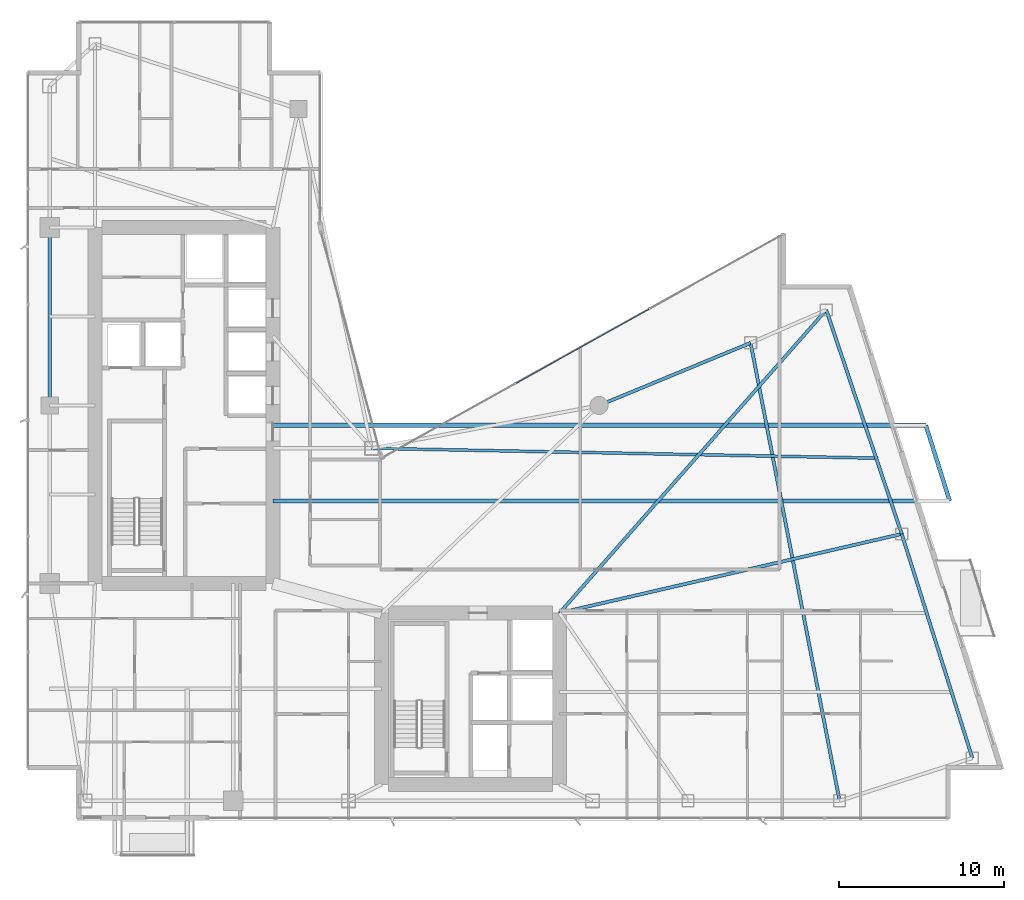
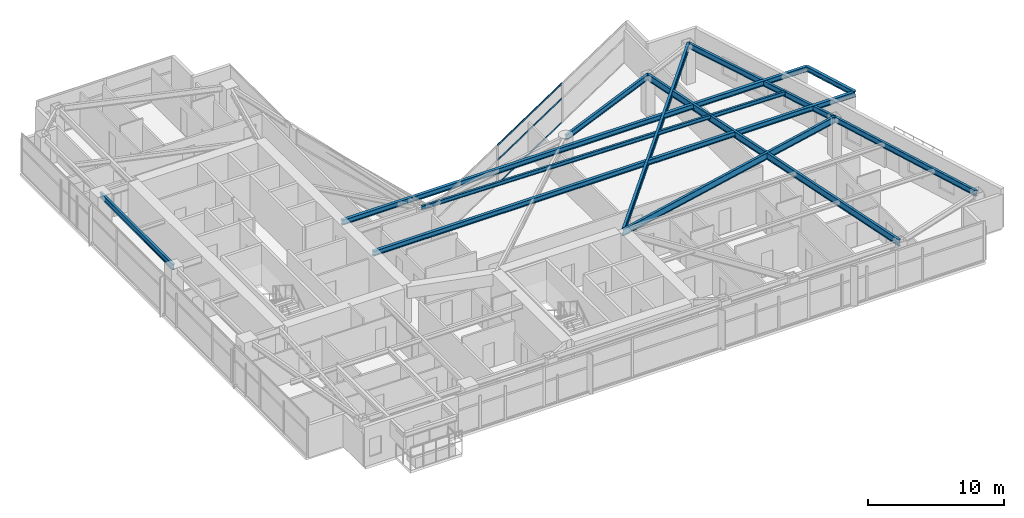
# One storey, part 15 of 28: 11 beams, 3 members, 1 element without a shape of its own.
"""IFC4 building model written with IfcOpenShell, lengths in metres."""

import ifcopenshell
import ifcopenshell.guid

model = None  # the IFC model being written
_history = None  # IfcOwnerHistory: only IFC2X3 demands one
_inside = {}  # id of a spatial element -> (the spatial element, [elements in it])
_under = {}  # id of a project, library or spatial element -> (it, [spatial elements below it])
_declared = {}  # id of a project -> (the project, [libraries it declares])
_typed = {}  # id of a type object -> (the type object, [elements of that type])
_made_of = {}  # id of a material, layer set ... -> (it, [elements and type objects made of it])


def new_model(schema):
    """Start an empty IFC model of exactly this schema.

    Asked for "IFC4X3", IfcOpenShell would pick the latest addendum, in which some entities
    have other attributes; the version numbers below select the first issue.
    IFC2X3 requires an IfcOwnerHistory on every rooted entity: one is made here for all.
    """
    global model, _history
    if schema == "IFC4X3":
        model = ifcopenshell.file(schema_version=(4, 3, 0, 0))
    else:
        model = ifcopenshell.file(schema=schema)
    _inside.clear()
    _under.clear()
    _declared.clear()
    _typed.clear()
    _made_of.clear()
    _history = None
    if model.schema == "IFC2X3":
        org = make("IfcOrganization", Name="unknown")
        user = make(
            "IfcPersonAndOrganization",
            ThePerson=make("IfcPerson", FamilyName="unknown"),
            TheOrganization=org,
        )
        app = make(
            "IfcApplication",
            ApplicationDeveloper=org,
            Version="unknown",
            ApplicationFullName="unknown",
            ApplicationIdentifier="unknown",
        )
        _history = make(
            "IfcOwnerHistory",
            OwningUser=user,
            OwningApplication=app,
            ChangeAction="ADDED",
            CreationDate=0,
        )
    return model


def make(cls, **values):
    """One entity of the class cls with the attributes given. An attribute that is None is left unset."""
    return model.create_entity(
        cls, **{name: value for name, value in values.items() if value is not None}
    )


def rooted(cls, **values):
    """An entity with a GlobalId (a new one), such as an element, a storey or a relation."""
    return make(cls, GlobalId=ifcopenshell.guid.new(), OwnerHistory=_history, **values)


def si_unit(unit_type, name, prefix=None):
    """IfcSIUnit, for example si_unit("LENGTHUNIT", "METRE", prefix="MILLI")."""
    return make("IfcSIUnit", UnitType=unit_type, Prefix=prefix, Name=name)


def assignment(units):
    """IfcUnitAssignment: the units of a project."""
    return None if units is None else make("IfcUnitAssignment", Units=units)


def point(xyz):
    """IfcCartesianPoint."""
    return None if xyz is None else make("IfcCartesianPoint", Coordinates=xyz)


def direction(xyz):
    """IfcDirection."""
    return None if xyz is None else make("IfcDirection", DirectionRatios=xyz)


def frame(location, z_axis=None, x_axis=None):
    """IfcAxis2Placement3D, a coordinate frame: its origin and axes. An axis left out is left unset."""
    return make(
        "IfcAxis2Placement3D",
        Location=point(location),
        Axis=direction(z_axis),
        RefDirection=direction(x_axis),
    )


def frame_2d(location, x_axis=None):
    """IfcAxis2Placement2D, a coordinate frame in the plane: its origin and x axis."""
    return make(
        "IfcAxis2Placement2D", Location=point(location), RefDirection=direction(x_axis)
    )


def origin():
    """The frame at (0, 0, 0) with its axes left unset."""
    return frame((0.0, 0.0, 0.0))


def origin_2d():
    """The frame at (0, 0) in the plane with its x axis left unset."""
    return frame_2d((0.0, 0.0))


def place(relative_to, where):
    """IfcLocalPlacement: puts the frame where relative to a parent placement (None: the world)."""
    return make(
        "IfcLocalPlacement", PlacementRelTo=relative_to, RelativePlacement=where
    )


def context(
    kind, dimensions, precision=None, world=None, true_north=None, identifier=None
):
    """IfcGeometricRepresentationContext, for example the 3D "Model" context."""
    return make(
        "IfcGeometricRepresentationContext",
        ContextIdentifier=identifier,
        ContextType=kind,
        CoordinateSpaceDimension=dimensions,
        Precision=precision,
        WorldCoordinateSystem=world,
        TrueNorth=true_north,
    )


def subcontext(parent, identifier, kind, view, scale=None):
    """IfcGeometricRepresentationSubContext, for example "Body" below "Model"."""
    return make(
        "IfcGeometricRepresentationSubContext",
        ContextIdentifier=identifier,
        ContextType=kind,
        ParentContext=parent,
        TargetScale=scale,
        TargetView=view,
    )


def project(units=None, contexts=None):
    """IfcProject with its units and contexts."""
    return rooted(
        "IfcProject",
        Name="project",
        RepresentationContexts=contexts,
        UnitsInContext=assignment(units),
    )


def spatial(cls, under=None, at=None, **own):
    """A site, building, storey or space (cls), placed at a placement, below another one or the project."""
    s = rooted(cls, ObjectPlacement=at, **own)
    if under is not None:
        _under.setdefault(under.id(), (under, []))[1].append(s)
    return s


def profile(cls, at=None, kind="AREA", **sizes):
    """A parametric profile (cls). Its sizes go by their IFC names, for example OverallWidth=200.0."""
    return make(cls, ProfileType=kind, Position=at, **sizes)


def hollow_rectangle(**sizes):
    """IfcRectangleHollowProfileDef."""
    return profile("IfcRectangleHollowProfileDef", **sizes)


def i_section(**sizes):
    """IfcIShapeProfileDef."""
    return profile("IfcIShapeProfileDef", **sizes)


def extrude(swept, where, along, depth):
    """IfcExtrudedAreaSolid: the profile swept, set in the frame where, extruded along a direction by depth."""
    return make(
        "IfcExtrudedAreaSolid",
        SweptArea=swept,
        Position=where,
        ExtrudedDirection=direction(along),
        Depth=depth,
    )


def shape(context_of_items, identifier, shape_type, items):
    """IfcShapeRepresentation: the items that make up one representation, for example the "Body"."""
    return make(
        "IfcShapeRepresentation",
        ContextOfItems=context_of_items,
        RepresentationIdentifier=identifier,
        RepresentationType=shape_type,
        Items=items,
    )


def material(Name=None, Category=None):
    """IfcMaterial."""
    return make("IfcMaterial", Name=Name, Category=Category)


def layer(
    of_material, thickness, ventilated=None, Name=None, Category=None, Priority=None
):
    """IfcMaterialLayer: one layer of a wall or slab, of a material (None: an air gap)."""
    return make(
        "IfcMaterialLayer",
        Material=of_material,
        LayerThickness=thickness,
        IsVentilated=ventilated,
        Name=Name,
        Category=Category,
        Priority=Priority,
    )


def layer_set(layers, Name=None):
    """IfcMaterialLayerSet."""
    return make("IfcMaterialLayerSet", MaterialLayers=layers, LayerSetName=Name)


def material_profile(
    of_material, cross_section, Name=None, Category=None, Priority=None
):
    """IfcMaterialProfile: a cross section and its material."""
    return make(
        "IfcMaterialProfile",
        Name=Name,
        Material=of_material,
        Profile=cross_section,
        Priority=Priority,
        Category=Category,
    )


def profile_set(profiles, Name=None, composite=None):
    """IfcMaterialProfileSet."""
    return make(
        "IfcMaterialProfileSet",
        Name=Name,
        MaterialProfiles=profiles,
        CompositeProfile=composite,
    )


def made_of(thing, what):
    """Note that an element or type object is made of a material, layer set ...; save() writes the relation."""
    if what is not None:
        _made_of.setdefault(what.id(), (what, []))[1].append(thing)
    return thing


def type_object(cls, material=None, **own):
    """A type object (cls), such as IfcWallType, which elements share."""
    return made_of(rooted(cls, **own), material)


def element(
    cls,
    number,
    at=None,
    inside=None,
    cuts=None,
    type_object=None,
    material=None,
    context=None,
    identifier="Body",
    shape_type=None,
    held_by="IfcProductDefinitionShape",
    body=None,
    shapes=None,
    **own,
):
    """One element of the class cls, such as IfcWall. Its Tag is "e" and its number.

    at: its placement. inside: the storey or other place that contains it. cuts: it is an
    opening in that element (IfcRelVoidsElement). A single representation is given by context,
    identifier, shape_type and body (its items); several are given by shapes. held_by: the class
    of the entity that holds the representations. save() writes the other relations.
    """
    e = rooted(cls, Tag="e%d" % number, ObjectPlacement=at, **own)
    if body is not None:
        shapes = [shape(context, identifier, shape_type, body)]
    if shapes is not None:
        e.Representation = make(held_by, Representations=shapes)
    if inside is not None:
        _inside.setdefault(inside.id(), (inside, []))[1].append(e)
    if cuts is not None:
        rooted(
            "IfcRelVoidsElement", RelatingBuildingElement=cuts, RelatedOpeningElement=e
        )
    if type_object is not None:
        _typed.setdefault(type_object.id(), (type_object, []))[1].append(e)
    return made_of(e, material)


def aggregate(whole, parts):
    """IfcRelAggregates: a whole, such as a stair, and the parts it consists of."""
    return rooted("IfcRelAggregates", RelatingObject=whole, RelatedObjects=parts)


def save(model, path):
    """Write the relations noted so far, then the file.

    IfcRelAggregates (storeys below a building ...), IfcRelContainedInSpatialStructure (elements
    in a storey), IfcRelDefinesByType, IfcRelAssociatesMaterial and IfcRelDeclares: one each for
    every whole, place, type object, material and project.
    """
    for whole, parts in _under.values():
        aggregate(whole, parts)
    for where, things in _inside.values():
        rooted(
            "IfcRelContainedInSpatialStructure",
            RelatedElements=things,
            RelatingStructure=where,
        )
    for kind, things in _typed.values():
        rooted("IfcRelDefinesByType", RelatedObjects=things, RelatingType=kind)
    for what, things in _made_of.values():
        rooted("IfcRelAssociatesMaterial", RelatedObjects=things, RelatingMaterial=what)
    for by, libraries in _declared.values():
        rooted("IfcRelDeclares", RelatingContext=by, RelatedDefinitions=libraries)
    model.write(path)


model = new_model("IFC4")

# Units and contexts
model_context = context("Model", 3, precision=1e-05, world=origin(), true_north=direction((0.0, 1.0)))
body_context = subcontext(model_context, "Body", "Model", "MODEL_VIEW")
ifc_project = project(units=[si_unit("LENGTHUNIT", "METRE"), si_unit("AREAUNIT", "SQUARE_METRE"), si_unit("VOLUMEUNIT", "CUBIC_METRE"), si_unit("PLANEANGLEUNIT", "RADIAN"), si_unit("MASSUNIT", "GRAM", prefix="KILO")], contexts=[model_context])

# Site, building, storey
site_placement = place(None, origin())
site = spatial("IfcSite", under=ifc_project, at=site_placement, CompositionType="ELEMENT")
building_placement = place(site_placement, origin())
building = spatial("IfcBuilding", under=site, at=building_placement, Name="Calvorn Quay Hotel", CompositionType="ELEMENT")
storey_placement = place(building_placement, frame((0.0, 0.0, 156.10009765625)))
storey = spatial("IfcBuildingStorey", under=building, at=storey_placement, Name="L38", CompositionType="ELEMENT", Elevation=156.10009765625)

# Beams
ifc_material_1 = material(Name="Steel Q355B", Category="steel")
ifc_material_profile_1 = material_profile(ifc_material_1, i_section(OverallWidth=0.25, OverallDepth=0.449951171875, WebThickness=0.011962890625, FlangeThickness=0.01611328125, FilletRadius=0.01611328125, at=origin_2d()), Name="HN450x250x12x16")
ifc_profile_set_1 = profile_set([ifc_material_profile_1], Name="Steel Q355B")
beam_type_1 = type_object("IfcBeamType", Name="BM-CANT-BALC", PredefinedType="BEAM", material=ifc_profile_set_1)
beam_1_placement = place(storey_placement, frame((15.0, 21.800048828125, 3.31494140625), z_axis=(1.0, 0.0, 0.0), x_axis=(0.0, 1.0, 0.0)))
element("IfcBeam", 1, at=beam_1_placement, inside=storey, type_object=beam_type_1, Name="Cantilever Balcony Beam BCB-L39-1A", PredefinedType="BEAM", context=body_context, shape_type="SweptSolid", body=[
    extrude(i_section(OverallWidth=0.25, OverallDepth=0.449951171875, WebThickness=0.011962890625, FlangeThickness=0.01611328125, FilletRadius=0.01611328125, at=origin_2d()), origin(), (0.0, 0.0, 1.0), 41.0859375),
])
beam_2_placement = place(storey_placement, frame((15.0, 26.39990234375, 3.31494140625), z_axis=(1.0, 0.0, 0.0), x_axis=(0.0, 1.0, 0.0)))
element("IfcBeam", 2, at=beam_2_placement, inside=storey, type_object=beam_type_1, Name="Cantilever Balcony Beam BCB-L39-1B", PredefinedType="BEAM", context=body_context, shape_type="SweptSolid", body=[
    extrude(i_section(OverallWidth=0.25, OverallDepth=0.449951171875, WebThickness=0.011962890625, FlangeThickness=0.01611328125, FilletRadius=0.01611328125, at=origin_2d()), origin(), (0.0, 0.0, 1.0), 39.636962890625),
])
beam_3_placement = place(storey_placement, frame((56.0859375, 21.800048828125, 3.31494140625), z_axis=(-0.300450487966, 0.953797412599, 0.0), x_axis=(-0.953797412599, -0.300450487966, 0.0)))
element("IfcBeam", 3, at=beam_3_placement, inside=storey, type_object=beam_type_1, Name="Beam BCBO-L39-1", PredefinedType="BEAM", context=body_context, shape_type="SweptSolid", body=[
    extrude(i_section(OverallWidth=0.25, OverallDepth=0.449951171875, WebThickness=0.011962890625, FlangeThickness=0.01611328125, FilletRadius=0.01611328125, at=origin_2d()), origin(), (0.0, 0.0, 1.0), 4.82275390625),
])
ifc_material_2 = material(Name="Steel Q355B", Category="steel")
ifc_material_profile_2 = material_profile(ifc_material_2, i_section(OverallWidth=0.199951171875, OverallDepth=0.60009765625, WebThickness=0.010986328125, FlangeThickness=0.01708984375, FilletRadius=0.01806640625, at=origin_2d()), Name="HN600x200x11x17")
ifc_profile_set_2 = profile_set([ifc_material_profile_2], Name="Steel Q355B")
beam_type_2 = type_object("IfcBeamType", Name="BM-GIRD-TYP", PredefinedType="BEAM", material=ifc_profile_set_2)
beam_4_placement = place(storey_placement, frame((32.39990234375, 15.0, 3.239990234375), z_axis=(0.974334045812, 0.225107012711, 0.0), x_axis=(-0.225107012711, 0.974334045812, 0.0)))
element("IfcBeam", 4, at=beam_4_placement, inside=storey, type_object=beam_type_2, Name="Beam BG-L38-E2", PredefinedType="BEAM", context=body_context, shape_type="SweptSolid", body=[
    extrude(i_section(OverallWidth=0.199951171875, OverallDepth=0.60009765625, WebThickness=0.010986328125, FlangeThickness=0.01708984375, FilletRadius=0.01806640625, at=origin_2d()), origin(), (0.0, 0.0, 1.0), 21.323486328125),
])
beam_5_placement = place(storey_placement, frame((32.39990234375, 15.0, 3.239990234375), z_axis=(0.660610604248, 0.750728732336, 0.0), x_axis=(-0.750728732336, 0.660610604248, 0.0)))
element("IfcBeam", 5, at=beam_5_placement, inside=storey, type_object=beam_type_2, Name="Beam BG-L38-E3", PredefinedType="BEAM", context=body_context, shape_type="SweptSolid", body=[
    extrude(i_section(OverallWidth=0.199951171875, OverallDepth=0.60009765625, WebThickness=0.010986328125, FlangeThickness=0.01708984375, FilletRadius=0.01806640625, at=origin_2d()), origin(), (0.0, 0.0, 1.0), 24.50927734375),
])
beam_6_placement = place(storey_placement, frame((49.39990234375, 3.60009765625, 3.239990234375), z_axis=(-0.190678596862, 0.981652521363, 0.0), x_axis=(-0.981652521363, -0.190678596862, 0.0)))
element("IfcBeam", 6, at=beam_6_placement, inside=storey, type_object=beam_type_2, Name="Beam BG-L38-E5", PredefinedType="BEAM", context=body_context, shape_type="SweptSolid", body=[
    extrude(i_section(OverallWidth=0.199951171875, OverallDepth=0.60009765625, WebThickness=0.010986328125, FlangeThickness=0.01708984375, FilletRadius=0.01806640625, at=origin_2d()), origin(), (0.0, 0.0, 1.0), 28.3193359375),
])
ifc_material_3 = material(Name="Steel Q355B", Category="steel")
ifc_material_profile_3 = material_profile(ifc_material_3, i_section(OverallWidth=0.175048828125, OverallDepth=0.35009765625, WebThickness=0.007080078125, FlangeThickness=0.010986328125, FilletRadius=0.013916015625, at=origin_2d()), Name="HN350x175x7x11")
ifc_profile_set_3 = profile_set([ifc_material_profile_3], Name="Steel Q355B")
beam_type_3 = type_object("IfcBeamType", Name="BM-JOIST-SEC", PredefinedType="JOIST", material=ifc_profile_set_3)
beam_7_placement = place(storey_placement, frame((21.0, 25.0, 3.364990234375), z_axis=(0.999809345134, -0.019526222968, 0.0), x_axis=(0.019526222968, 0.999809345134, 0.0)))
element("IfcBeam", 7, at=beam_7_placement, inside=storey, type_object=beam_type_3, Name="Beam BJ-L38-E3", PredefinedType="JOIST", context=body_context, shape_type="SweptSolid", body=[
    extrude(i_section(OverallWidth=0.175048828125, OverallDepth=0.35009765625, WebThickness=0.007080078125, FlangeThickness=0.010986328125, FilletRadius=0.013916015625, at=origin_2d()), origin(), (0.0, 0.0, 1.0), 30.73291015625),
])
ifc_material_4 = material(Name="Steel Q355B", Category="steel")
ifc_material_profile_4 = material_profile(ifc_material_4, i_section(OverallWidth=0.199951171875, OverallDepth=0.5, WebThickness=0.010009765625, FlangeThickness=0.01611328125, FilletRadius=0.01611328125, at=origin_2d()), Name="HN500x200x10x16")
ifc_profile_set_4 = profile_set([ifc_material_profile_4], Name="Steel Q355B")
beam_type_4 = type_object("IfcBeamType", Name="BM-SPANDREL-Z1", PredefinedType="SPANDREL", material=ifc_profile_set_4)
beam_8_placement = place(storey_placement, frame((1.449951171875, 27.60009765625, 3.289794921875), z_axis=(0.0, 1.0, 0.0), x_axis=(-1.0, 0.0, 0.0)))
element("IfcBeam", 8, at=beam_8_placement, inside=storey, type_object=beam_type_4, Name="Beam BSP-L38-W3", PredefinedType="SPANDREL", context=body_context, shape_type="SweptSolid", body=[
    extrude(i_section(OverallWidth=0.199951171875, OverallDepth=0.5, WebThickness=0.010009765625, FlangeThickness=0.01611328125, FilletRadius=0.01611328125, at=origin_2d()), origin(), (0.0, 0.0, 1.0), 10.7998046875),
])
beam_9_placement = place(storey_placement, frame((57.4609375, 6.199951171875, 3.289794921875), z_axis=(-0.300502802767, 0.953780931624, 0.0), x_axis=(-0.953780931624, -0.300502802767, 0.0)))
element("IfcBeam", 9, at=beam_9_placement, inside=storey, type_object=beam_type_4, Name="Beam BSP-L38-E1", PredefinedType="SPANDREL", context=body_context, shape_type="SweptSolid", body=[
    extrude(i_section(OverallWidth=0.199951171875, OverallDepth=0.5, WebThickness=0.010009765625, FlangeThickness=0.01611328125, FilletRadius=0.01611328125, at=origin_2d()), origin(), (0.0, 0.0, 1.0), 14.259033203125),
])
beam_10_placement = place(storey_placement, frame((53.176025390625, 19.800048828125, 3.289794921875), z_axis=(-0.319466515944, 0.947597564998, 0.0), x_axis=(-0.947597564998, -0.319466515944, 0.0)))
element("IfcBeam", 10, at=beam_10_placement, inside=storey, type_object=beam_type_4, Name="Beam BSP-L38-E2", PredefinedType="SPANDREL", context=body_context, shape_type="SweptSolid", body=[
    extrude(i_section(OverallWidth=0.199951171875, OverallDepth=0.5, WebThickness=0.010009765625, FlangeThickness=0.01611328125, FilletRadius=0.01611328125, at=origin_2d()), origin(), (0.0, 0.0, 1.0), 14.35205078125),
])
beam_11_placement = place(storey_placement, frame((44.0, 31.39990234375, 3.289794921875), z_axis=(-0.92426763497, -0.381745123017, 0.0), x_axis=(0.381745123017, -0.92426763497, 0.0)))
element("IfcBeam", 11, at=beam_11_placement, inside=storey, type_object=beam_type_4, Name="Beam BSP-L38-E4", PredefinedType="SPANDREL", context=body_context, shape_type="SweptSolid", body=[
    extrude(i_section(OverallWidth=0.199951171875, OverallDepth=0.5, WebThickness=0.010009765625, FlangeThickness=0.01611328125, FilletRadius=0.01611328125, at=origin_2d()), origin(), (0.0, 0.0, 1.0), 9.953857421875),
])

# Curtain wall, members
ifc_material_5 = material(Name="Pale Anodised Aluminium and Low-E Glass", Category="aluminium")
ifc_layer = layer(ifc_material_5, 0.219970703125)
ifc_layer_set = layer_set([ifc_layer], Name="CW-SYS-Z2")
curtain_wall_type = type_object("IfcCurtainWallType", Name="CW-SYS-Z2", PredefinedType="NOTDEFINED", material=ifc_layer_set)
curtain_wall_placement = place(storey_placement, origin())
curtain_wall = element("IfcCurtainWall", 12, at=curtain_wall_placement, inside=storey, type_object=curtain_wall_type, Name="Inner Court Curtain Wall L38-NE1", PredefinedType="NOTDEFINED")
ifc_material_6 = material(Name="Pale Anodised Aluminium 6063-T6", Category="aluminium")
ifc_material_profile_5 = material_profile(ifc_material_6, hollow_rectangle(XDim=0.06005859375, YDim=0.14990234375, WallThickness=0.00341796875, at=origin_2d()), Name="ALU-T150x60x3.5")
ifc_profile_set_5 = profile_set([ifc_material_profile_5], Name="Pale Anodised Aluminium 6063-T6")
member_type = type_object("IfcMemberType", Name="CW-SYS-Z2-TRN", PredefinedType="USERDEFINED", material=ifc_profile_set_5)
member_1_placement = place(storey_placement, frame((37.840576171875, 33.4521484375, 0.02978515625), z_axis=(-0.873483012802, -0.486854625474, 0.0), x_axis=(0.486854625474, -0.873483012802, 0.0)))
member_1 = element("IfcMember", 13, at=member_1_placement, type_object=member_type, Name="CW-L38-NE1 transom 2.1", ObjectType="TRANSOM", PredefinedType="USERDEFINED", context=body_context, shape_type="SweptSolid", body=[
    extrude(hollow_rectangle(XDim=0.06005859375, YDim=0.14990234375, WallThickness=0.00341796875, at=origin_2d()), origin(), (0.0, 0.0, 1.0), 9.25146484375),
])
member_2_placement = place(storey_placement, frame((37.840576171875, 33.4521484375, 2.199951171875), z_axis=(-0.873483012802, -0.486854625474, 0.0), x_axis=(0.486854625474, -0.873483012802, 0.0)))
member_2 = element("IfcMember", 14, at=member_2_placement, type_object=member_type, Name="CW-L38-NE1 transom 2.2", ObjectType="TRANSOM", PredefinedType="USERDEFINED", context=body_context, shape_type="SweptSolid", body=[
    extrude(hollow_rectangle(XDim=0.06005859375, YDim=0.14990234375, WallThickness=0.00341796875, at=origin_2d()), origin(), (0.0, 0.0, 1.0), 9.25146484375),
])
member_3_placement = place(storey_placement, frame((37.840576171875, 33.4521484375, 3.52978515625), z_axis=(-0.873483012802, -0.486854625474, 0.0), x_axis=(0.486854625474, -0.873483012802, 0.0)))
member_3 = element("IfcMember", 15, at=member_3_placement, type_object=member_type, Name="CW-L38-NE1 transom 2.3", ObjectType="TRANSOM", PredefinedType="USERDEFINED", context=body_context, shape_type="SweptSolid", body=[
    extrude(hollow_rectangle(XDim=0.06005859375, YDim=0.14990234375, WallThickness=0.00341796875, at=origin_2d()), origin(), (0.0, 0.0, 1.0), 9.25146484375),
])
aggregate(curtain_wall, [member_1, member_2, member_3])

save(model, "model.ifc")
